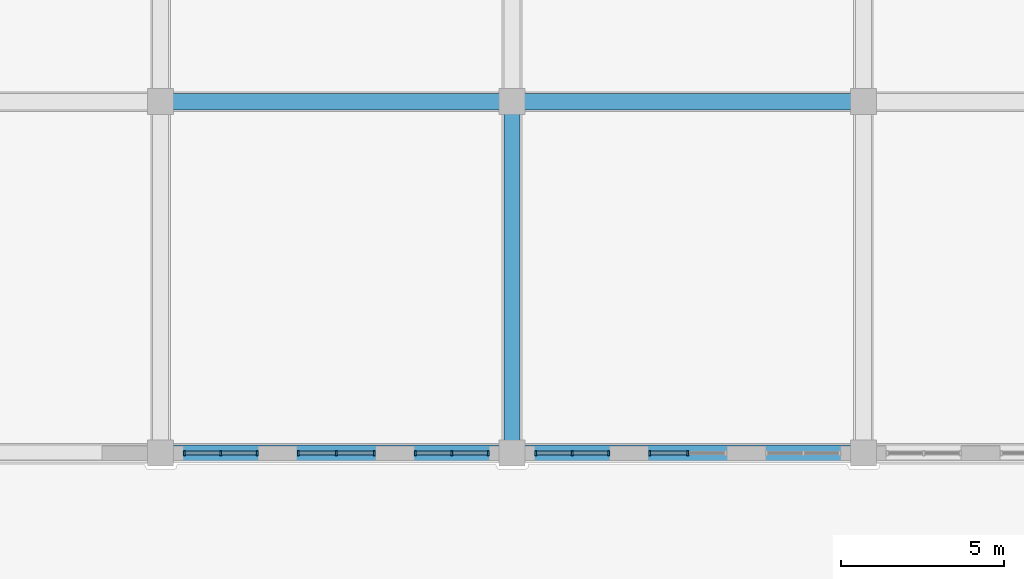
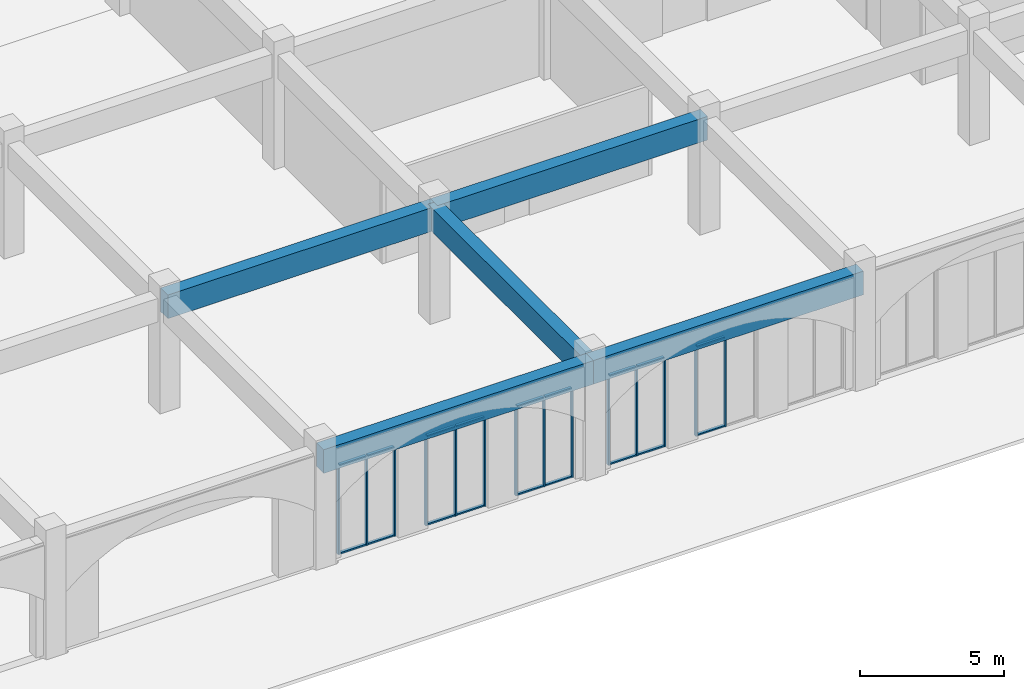
# One storey, part 17 of 101: 32 members, 5 beams, 5 elements without a shape of their own.
"""IFC4 building model written with IfcOpenShell, lengths in metres."""

from ifc_helpers import new_model, si_unit, direction, frame, origin, origin_2d, place, context, subcontext, project, spatial, rectangle, extrude, material, layer, layer_set, material_profile, profile_set, type_object, element, aggregate, save


model = new_model("IFC4")

# Units and contexts
model_context = context("Model", 3, precision=1e-05, world=origin(), true_north=direction((0.0, 1.0)))
body_context = subcontext(model_context, "Body", "Model", "MODEL_VIEW")
ifc_project = project(units=[si_unit("LENGTHUNIT", "METRE"), si_unit("AREAUNIT", "SQUARE_METRE"), si_unit("VOLUMEUNIT", "CUBIC_METRE"), si_unit("PLANEANGLEUNIT", "RADIAN"), si_unit("MASSUNIT", "GRAM", prefix="KILO")], contexts=[model_context])

# Site, building, storey
site_placement = place(None, origin())
site = spatial("IfcSite", under=ifc_project, at=site_placement, CompositionType="ELEMENT")
building_placement = place(site_placement, origin())
building = spatial("IfcBuilding", under=site, at=building_placement, Name="Magnolia Steps Interchange", CompositionType="ELEMENT")
storey_placement = place(building_placement, frame((0.0, 0.0, -5.39990234375)))
storey = spatial("IfcBuildingStorey", under=building, at=storey_placement, Name="B1", CompositionType="ELEMENT", Elevation=-5.39990234375)

# Curtain wall, members
ifc_material_1 = material(Name="Powder-coated aluminium and glass", Category="aluminium")
ifc_layer = layer(ifc_material_1, 0.1201171875)
ifc_layer_set = layer_set([ifc_layer], Name="Shopfront curtain wall")
curtain_wall_type = type_object("IfcCurtainWallType", Name="Shopfront curtain wall", PredefinedType="NOTDEFINED", material=ifc_layer_set)
curtain_wall_1_placement = place(storey_placement, origin())
curtain_wall_1 = element("IfcCurtainWall", 1, at=curtain_wall_1_placement, inside=storey, type_object=curtain_wall_type, Name="Street arcade shopfront 50", PredefinedType="NOTDEFINED")
ifc_material_2 = material(Name="White powder-coated aluminium", Category="aluminium")
ifc_material_profile_1 = material_profile(ifc_material_2, rectangle(XDim=0.06005859375, YDim=0.14990234375, at=origin_2d()), Name="Aluminium mullion 60 x 150")
ifc_profile_set_1 = profile_set([ifc_material_profile_1], Name="White powder-coated aluminium")
member_type_1 = type_object("IfcMemberType", Name="Aluminium mullion 60 x 150", PredefinedType="MULLION", material=ifc_profile_set_1)
member_1_placement = place(storey_placement, frame((151.1298828125, 10.0, 0.0), z_axis=(0.0, 0.0, 1.0), x_axis=(1.0, 0.0, 0.0)))
member_1 = element("IfcMember", 2, at=member_1_placement, type_object=member_type_1, Name="CW3 mullion 1", PredefinedType="MULLION", context=body_context, shape_type="SweptSolid", body=[
    extrude(rectangle(XDim=0.06005859375, YDim=0.14990234375, at=origin_2d()), origin(), (0.0, 0.0, 1.0), 3.7998046875),
])
member_2_placement = place(storey_placement, frame((152.25, 10.0, 0.0), z_axis=(0.0, 0.0, 1.0), x_axis=(1.0, 0.0, 0.0)))
member_2 = element("IfcMember", 3, at=member_2_placement, type_object=member_type_1, Name="CW3 mullion 2", PredefinedType="MULLION", context=body_context, shape_type="SweptSolid", body=[
    extrude(rectangle(XDim=0.06005859375, YDim=0.14990234375, at=origin_2d()), origin(), (0.0, 0.0, 1.0), 3.7998046875),
])
member_3_placement = place(storey_placement, frame((153.3701171875, 10.0, 0.0), z_axis=(0.0, 0.0, 1.0), x_axis=(1.0, 0.0, 0.0)))
member_3 = element("IfcMember", 4, at=member_3_placement, type_object=member_type_1, Name="CW3 mullion 3", PredefinedType="MULLION", context=body_context, shape_type="SweptSolid", body=[
    extrude(rectangle(XDim=0.06005859375, YDim=0.14990234375, at=origin_2d()), origin(), (0.0, 0.0, 1.0), 3.7998046875),
])

curtain_wall_2_placement = place(storey_placement, origin())
curtain_wall_2 = element("IfcCurtainWall", 5, at=curtain_wall_2_placement, inside=storey, type_object=curtain_wall_type, Name="Street arcade shopfront 52", PredefinedType="NOTDEFINED")
member_4_placement = place(storey_placement, frame((154.6298828125, 10.0, 0.0), z_axis=(0.0, 0.0, 1.0), x_axis=(1.0, 0.0, 0.0)))
member_4 = element("IfcMember", 6, at=member_4_placement, type_object=member_type_1, Name="CW3 mullion 1", PredefinedType="MULLION", context=body_context, shape_type="SweptSolid", body=[
    extrude(rectangle(XDim=0.06005859375, YDim=0.14990234375, at=origin_2d()), origin(), (0.0, 0.0, 1.0), 3.7998046875),
])
member_5_placement = place(storey_placement, frame((155.800048828125, 10.0, 0.0), z_axis=(0.0, 0.0, 1.0), x_axis=(1.0, 0.0, 0.0)))
member_5 = element("IfcMember", 7, at=member_5_placement, type_object=member_type_1, Name="CW3 mullion 2", PredefinedType="MULLION", context=body_context, shape_type="SweptSolid", body=[
    extrude(rectangle(XDim=0.06005859375, YDim=0.14990234375, at=origin_2d()), origin(), (0.0, 0.0, 1.0), 3.7998046875),
])
member_6_placement = place(storey_placement, frame((156.969970703125, 10.0, 0.0), z_axis=(0.0, 0.0, 1.0), x_axis=(1.0, 0.0, 0.0)))
member_6 = element("IfcMember", 8, at=member_6_placement, type_object=member_type_1, Name="CW3 mullion 3", PredefinedType="MULLION", context=body_context, shape_type="SweptSolid", body=[
    extrude(rectangle(XDim=0.06005859375, YDim=0.14990234375, at=origin_2d()), origin(), (0.0, 0.0, 1.0), 3.7998046875),
])

curtain_wall_3_placement = place(storey_placement, origin())
curtain_wall_3 = element("IfcCurtainWall", 9, at=curtain_wall_3_placement, inside=storey, type_object=curtain_wall_type, Name="Street arcade shopfront 54", PredefinedType="NOTDEFINED")
member_7_placement = place(storey_placement, frame((158.22998046875, 10.0, 0.0), z_axis=(0.0, 0.0, 1.0), x_axis=(1.0, 0.0, 0.0)))
member_7 = element("IfcMember", 10, at=member_7_placement, type_object=member_type_1, Name="CW3 mullion 1", PredefinedType="MULLION", context=body_context, shape_type="SweptSolid", body=[
    extrude(rectangle(XDim=0.06005859375, YDim=0.14990234375, at=origin_2d()), origin(), (0.0, 0.0, 1.0), 3.7998046875),
])
member_8_placement = place(storey_placement, frame((159.35009765625, 10.0, 0.0), z_axis=(0.0, 0.0, 1.0), x_axis=(1.0, 0.0, 0.0)))
member_8 = element("IfcMember", 11, at=member_8_placement, type_object=member_type_1, Name="CW3 mullion 2", PredefinedType="MULLION", context=body_context, shape_type="SweptSolid", body=[
    extrude(rectangle(XDim=0.06005859375, YDim=0.14990234375, at=origin_2d()), origin(), (0.0, 0.0, 1.0), 3.7998046875),
])
member_9_placement = place(storey_placement, frame((160.469970703125, 10.0, 0.0), z_axis=(0.0, 0.0, 1.0), x_axis=(1.0, 0.0, 0.0)))
member_9 = element("IfcMember", 12, at=member_9_placement, type_object=member_type_1, Name="CW3 mullion 3", PredefinedType="MULLION", context=body_context, shape_type="SweptSolid", body=[
    extrude(rectangle(XDim=0.06005859375, YDim=0.14990234375, at=origin_2d()), origin(), (0.0, 0.0, 1.0), 3.7998046875),
])

curtain_wall_4_placement = place(storey_placement, origin())
curtain_wall_4 = element("IfcCurtainWall", 13, at=curtain_wall_4_placement, inside=storey, type_object=curtain_wall_type, Name="Street arcade shopfront 56", PredefinedType="NOTDEFINED")
member_10_placement = place(storey_placement, frame((161.929931640625, 10.0, 0.0), z_axis=(0.0, 0.0, 1.0), x_axis=(1.0, 0.0, 0.0)))
member_10 = element("IfcMember", 14, at=member_10_placement, type_object=member_type_1, Name="CW3 mullion 1", PredefinedType="MULLION", context=body_context, shape_type="SweptSolid", body=[
    extrude(rectangle(XDim=0.06005859375, YDim=0.14990234375, at=origin_2d()), origin(), (0.0, 0.0, 1.0), 3.7998046875),
])
member_11_placement = place(storey_placement, frame((163.050048828125, 10.0, 0.0), z_axis=(0.0, 0.0, 1.0), x_axis=(1.0, 0.0, 0.0)))
member_11 = element("IfcMember", 15, at=member_11_placement, type_object=member_type_1, Name="CW3 mullion 2", PredefinedType="MULLION", context=body_context, shape_type="SweptSolid", body=[
    extrude(rectangle(XDim=0.06005859375, YDim=0.14990234375, at=origin_2d()), origin(), (0.0, 0.0, 1.0), 3.7998046875),
])
member_12_placement = place(storey_placement, frame((164.169921875, 10.0, 0.0), z_axis=(0.0, 0.0, 1.0), x_axis=(1.0, 0.0, 0.0)))
member_12 = element("IfcMember", 16, at=member_12_placement, type_object=member_type_1, Name="CW3 mullion 3", PredefinedType="MULLION", context=body_context, shape_type="SweptSolid", body=[
    extrude(rectangle(XDim=0.06005859375, YDim=0.14990234375, at=origin_2d()), origin(), (0.0, 0.0, 1.0), 3.7998046875),
])

curtain_wall_5_placement = place(storey_placement, origin())
curtain_wall_5 = element("IfcCurtainWall", 17, at=curtain_wall_5_placement, inside=storey, type_object=curtain_wall_type, Name="Street arcade shopfront 58", PredefinedType="NOTDEFINED")
member_13_placement = place(storey_placement, frame((165.429931640625, 10.0, 0.0), z_axis=(0.0, 0.0, 1.0), x_axis=(1.0, 0.0, 0.0)))
member_13 = element("IfcMember", 18, at=member_13_placement, type_object=member_type_1, Name="CW3 mullion 1", PredefinedType="MULLION", context=body_context, shape_type="SweptSolid", body=[
    extrude(rectangle(XDim=0.06005859375, YDim=0.14990234375, at=origin_2d()), origin(), (0.0, 0.0, 1.0), 3.7998046875),
])
member_14_placement = place(storey_placement, frame((166.60009765625, 10.0, 0.0), z_axis=(0.0, 0.0, 1.0), x_axis=(1.0, 0.0, 0.0)))
member_14 = element("IfcMember", 19, at=member_14_placement, type_object=member_type_1, Name="CW3 mullion 2", PredefinedType="MULLION", context=body_context, shape_type="SweptSolid", body=[
    extrude(rectangle(XDim=0.06005859375, YDim=0.14990234375, at=origin_2d()), origin(), (0.0, 0.0, 1.0), 3.7998046875),
])

# Member
ifc_material_3 = material(Name="White powder-coated aluminium", Category="aluminium")
ifc_material_profile_2 = material_profile(ifc_material_3, rectangle(XDim=0.06005859375, YDim=0.1201171875, at=origin_2d()), Name="Aluminium transom 60 x 120")
ifc_profile_set_2 = profile_set([ifc_material_profile_2], Name="White powder-coated aluminium")
member_type_2 = type_object("IfcMemberType", Name="Aluminium transom 60 x 120", PredefinedType="USERDEFINED", material=ifc_profile_set_2)
member_15_placement = place(storey_placement, frame((151.159912109375, 10.0, 0.02978515625), z_axis=(1.0, 0.0, 0.0), x_axis=(0.0, 0.0, 1.0)))
member_15 = element("IfcMember", 20, at=member_15_placement, type_object=member_type_2, Name="CW3 transom 1.1", ObjectType="TRANSOM", PredefinedType="USERDEFINED", context=body_context, shape_type="SweptSolid", body=[
    extrude(rectangle(XDim=0.06005859375, YDim=0.1201171875, at=origin_2d()), origin(), (0.0, 0.0, 1.0), 1.06005859375),
])

member_16_placement = place(storey_placement, frame((151.159912109375, 10.0, 3.77001953125), z_axis=(1.0, 0.0, 0.0), x_axis=(0.0, 0.0, 1.0)))
member_16 = element("IfcMember", 21, at=member_16_placement, type_object=member_type_2, Name="CW3 transom 1.2", ObjectType="TRANSOM", PredefinedType="USERDEFINED", context=body_context, shape_type="SweptSolid", body=[
    extrude(rectangle(XDim=0.06005859375, YDim=0.1201171875, at=origin_2d()), origin(), (0.0, 0.0, 1.0), 1.06005859375),
])

member_17_placement = place(storey_placement, frame((152.280029296875, 10.0, 0.02978515625), z_axis=(1.0, 0.0, 0.0), x_axis=(0.0, 0.0, 1.0)))
member_17 = element("IfcMember", 22, at=member_17_placement, type_object=member_type_2, Name="CW3 transom 2.1", ObjectType="TRANSOM", PredefinedType="USERDEFINED", context=body_context, shape_type="SweptSolid", body=[
    extrude(rectangle(XDim=0.06005859375, YDim=0.1201171875, at=origin_2d()), origin(), (0.0, 0.0, 1.0), 1.06005859375),
])

member_18_placement = place(storey_placement, frame((152.280029296875, 10.0, 3.77001953125), z_axis=(1.0, 0.0, 0.0), x_axis=(0.0, 0.0, 1.0)))
member_18 = element("IfcMember", 23, at=member_18_placement, type_object=member_type_2, Name="CW3 transom 2.2", ObjectType="TRANSOM", PredefinedType="USERDEFINED", context=body_context, shape_type="SweptSolid", body=[
    extrude(rectangle(XDim=0.06005859375, YDim=0.1201171875, at=origin_2d()), origin(), (0.0, 0.0, 1.0), 1.06005859375),
])

aggregate(curtain_wall_1, [member_1, member_2, member_3, member_15, member_16, member_17, member_18])

member_19_placement = place(storey_placement, frame((154.659912109375, 10.0, 0.02978515625), z_axis=(1.0, 0.0, 0.0), x_axis=(0.0, 0.0, 1.0)))
member_19 = element("IfcMember", 24, at=member_19_placement, type_object=member_type_2, Name="CW3 transom 1.1", ObjectType="TRANSOM", PredefinedType="USERDEFINED", context=body_context, shape_type="SweptSolid", body=[
    extrude(rectangle(XDim=0.06005859375, YDim=0.1201171875, at=origin_2d()), origin(), (0.0, 0.0, 1.0), 1.110107421875),
])

member_20_placement = place(storey_placement, frame((154.659912109375, 10.0, 3.77001953125), z_axis=(1.0, 0.0, 0.0), x_axis=(0.0, 0.0, 1.0)))
member_20 = element("IfcMember", 25, at=member_20_placement, type_object=member_type_2, Name="CW3 transom 1.2", ObjectType="TRANSOM", PredefinedType="USERDEFINED", context=body_context, shape_type="SweptSolid", body=[
    extrude(rectangle(XDim=0.06005859375, YDim=0.1201171875, at=origin_2d()), origin(), (0.0, 0.0, 1.0), 1.110107421875),
])

member_21_placement = place(storey_placement, frame((155.830078125, 10.0, 0.02978515625), z_axis=(1.0, 0.0, 0.0), x_axis=(0.0, 0.0, 1.0)))
member_21 = element("IfcMember", 26, at=member_21_placement, type_object=member_type_2, Name="CW3 transom 2.1", ObjectType="TRANSOM", PredefinedType="USERDEFINED", context=body_context, shape_type="SweptSolid", body=[
    extrude(rectangle(XDim=0.06005859375, YDim=0.1201171875, at=origin_2d()), origin(), (0.0, 0.0, 1.0), 1.10986328125),
])

member_22_placement = place(storey_placement, frame((155.830078125, 10.0, 3.77001953125), z_axis=(1.0, 0.0, 0.0), x_axis=(0.0, 0.0, 1.0)))
member_22 = element("IfcMember", 27, at=member_22_placement, type_object=member_type_2, Name="CW3 transom 2.2", ObjectType="TRANSOM", PredefinedType="USERDEFINED", context=body_context, shape_type="SweptSolid", body=[
    extrude(rectangle(XDim=0.06005859375, YDim=0.1201171875, at=origin_2d()), origin(), (0.0, 0.0, 1.0), 1.10986328125),
])

aggregate(curtain_wall_2, [member_4, member_5, member_6, member_19, member_20, member_21, member_22])

member_23_placement = place(storey_placement, frame((158.260009765625, 10.0, 0.02978515625), z_axis=(1.0, 0.0, 0.0), x_axis=(0.0, 0.0, 1.0)))
member_23 = element("IfcMember", 28, at=member_23_placement, type_object=member_type_2, Name="CW3 transom 1.1", ObjectType="TRANSOM", PredefinedType="USERDEFINED", context=body_context, shape_type="SweptSolid", body=[
    extrude(rectangle(XDim=0.06005859375, YDim=0.1201171875, at=origin_2d()), origin(), (0.0, 0.0, 1.0), 1.06005859375),
])

member_24_placement = place(storey_placement, frame((158.260009765625, 10.0, 3.77001953125), z_axis=(1.0, 0.0, 0.0), x_axis=(0.0, 0.0, 1.0)))
member_24 = element("IfcMember", 29, at=member_24_placement, type_object=member_type_2, Name="CW3 transom 1.2", ObjectType="TRANSOM", PredefinedType="USERDEFINED", context=body_context, shape_type="SweptSolid", body=[
    extrude(rectangle(XDim=0.06005859375, YDim=0.1201171875, at=origin_2d()), origin(), (0.0, 0.0, 1.0), 1.06005859375),
])

member_25_placement = place(storey_placement, frame((159.3798828125, 10.0, 0.02978515625), z_axis=(1.0, 0.0, 0.0), x_axis=(0.0, 0.0, 1.0)))
member_25 = element("IfcMember", 30, at=member_25_placement, type_object=member_type_2, Name="CW3 transom 2.1", ObjectType="TRANSOM", PredefinedType="USERDEFINED", context=body_context, shape_type="SweptSolid", body=[
    extrude(rectangle(XDim=0.06005859375, YDim=0.1201171875, at=origin_2d()), origin(), (0.0, 0.0, 1.0), 1.06005859375),
])

member_26_placement = place(storey_placement, frame((159.3798828125, 10.0, 3.77001953125), z_axis=(1.0, 0.0, 0.0), x_axis=(0.0, 0.0, 1.0)))
member_26 = element("IfcMember", 31, at=member_26_placement, type_object=member_type_2, Name="CW3 transom 2.2", ObjectType="TRANSOM", PredefinedType="USERDEFINED", context=body_context, shape_type="SweptSolid", body=[
    extrude(rectangle(XDim=0.06005859375, YDim=0.1201171875, at=origin_2d()), origin(), (0.0, 0.0, 1.0), 1.06005859375),
])

aggregate(curtain_wall_3, [member_7, member_8, member_9, member_23, member_24, member_25, member_26])

member_27_placement = place(storey_placement, frame((161.9599609375, 10.0, 0.02978515625), z_axis=(1.0, 0.0, 0.0), x_axis=(0.0, 0.0, 1.0)))
member_27 = element("IfcMember", 32, at=member_27_placement, type_object=member_type_2, Name="CW3 transom 1.1", ObjectType="TRANSOM", PredefinedType="USERDEFINED", context=body_context, shape_type="SweptSolid", body=[
    extrude(rectangle(XDim=0.06005859375, YDim=0.1201171875, at=origin_2d()), origin(), (0.0, 0.0, 1.0), 1.06005859375),
])

member_28_placement = place(storey_placement, frame((161.9599609375, 10.0, 3.77001953125), z_axis=(1.0, 0.0, 0.0), x_axis=(0.0, 0.0, 1.0)))
member_28 = element("IfcMember", 33, at=member_28_placement, type_object=member_type_2, Name="CW3 transom 1.2", ObjectType="TRANSOM", PredefinedType="USERDEFINED", context=body_context, shape_type="SweptSolid", body=[
    extrude(rectangle(XDim=0.06005859375, YDim=0.1201171875, at=origin_2d()), origin(), (0.0, 0.0, 1.0), 1.06005859375),
])

member_29_placement = place(storey_placement, frame((163.080078125, 10.0, 0.02978515625), z_axis=(1.0, 0.0, 0.0), x_axis=(0.0, 0.0, 1.0)))
member_29 = element("IfcMember", 34, at=member_29_placement, type_object=member_type_2, Name="CW3 transom 2.1", ObjectType="TRANSOM", PredefinedType="USERDEFINED", context=body_context, shape_type="SweptSolid", body=[
    extrude(rectangle(XDim=0.06005859375, YDim=0.1201171875, at=origin_2d()), origin(), (0.0, 0.0, 1.0), 1.059814453125),
])

member_30_placement = place(storey_placement, frame((163.080078125, 10.0, 3.77001953125), z_axis=(1.0, 0.0, 0.0), x_axis=(0.0, 0.0, 1.0)))
member_30 = element("IfcMember", 35, at=member_30_placement, type_object=member_type_2, Name="CW3 transom 2.2", ObjectType="TRANSOM", PredefinedType="USERDEFINED", context=body_context, shape_type="SweptSolid", body=[
    extrude(rectangle(XDim=0.06005859375, YDim=0.1201171875, at=origin_2d()), origin(), (0.0, 0.0, 1.0), 1.059814453125),
])

aggregate(curtain_wall_4, [member_10, member_11, member_12, member_27, member_28, member_29, member_30])

member_31_placement = place(storey_placement, frame((165.4599609375, 10.0, 0.02978515625), z_axis=(1.0, 0.0, 0.0), x_axis=(0.0, 0.0, 1.0)))
member_31 = element("IfcMember", 36, at=member_31_placement, type_object=member_type_2, Name="CW3 transom 1.1", ObjectType="TRANSOM", PredefinedType="USERDEFINED", context=body_context, shape_type="SweptSolid", body=[
    extrude(rectangle(XDim=0.06005859375, YDim=0.1201171875, at=origin_2d()), origin(), (0.0, 0.0, 1.0), 1.110107421875),
])

member_32_placement = place(storey_placement, frame((165.4599609375, 10.0, 3.77001953125), z_axis=(1.0, 0.0, 0.0), x_axis=(0.0, 0.0, 1.0)))
member_32 = element("IfcMember", 37, at=member_32_placement, type_object=member_type_2, Name="CW3 transom 1.2", ObjectType="TRANSOM", PredefinedType="USERDEFINED", context=body_context, shape_type="SweptSolid", body=[
    extrude(rectangle(XDim=0.06005859375, YDim=0.1201171875, at=origin_2d()), origin(), (0.0, 0.0, 1.0), 1.110107421875),
])

aggregate(curtain_wall_5, [member_13, member_14, member_31, member_32])

# Beams
ifc_material_4 = material(Name="Concrete C40", Category="concrete")
ifc_material_profile_3 = material_profile(ifc_material_4, rectangle(XDim=0.5, YDim=1.0, at=origin_2d()), Name="RC500x1000")
ifc_profile_set_3 = profile_set([ifc_material_profile_3], Name="Concrete C40")
beam_type = type_object("IfcBeamType", Name="RC beam 500x1000", PredefinedType="BEAM", material=ifc_profile_set_3)
for number, where, z_axis, x_axis, name in (
    (38, (150.39990234375, 10.0, 4.2998046875), (1.0, 0.0, 0.0), (0.0, 1.0, 0.0), "Beam L00 A 14-15"),
    (39, (161.199951171875, 10.0, 4.2998046875), (1.0, 0.0, 0.0), (0.0, 1.0, 0.0), "Beam L00 A 15-16"),
    (40, (150.39990234375, 20.800048828125, 4.2998046875), (1.0, 0.0, 0.0), (0.0, 1.0, 0.0), "Beam L00 B 14-15"),
    (41, (161.199951171875, 20.800048828125, 4.2998046875), (1.0, 0.0, 0.0), (0.0, 1.0, 0.0), "Beam L00 B 15-16"),
    (42, (161.199951171875, 10.0, 4.2998046875), (0.0, 1.0, 0.0), (-1.0, 0.0, 0.0), "Beam L00 15 A-B"),
):
    element("IfcBeam", number, at=place(storey_placement, frame(where, z_axis=z_axis, x_axis=x_axis)), inside=storey, type_object=beam_type, Name=name, PredefinedType="BEAM", context=body_context, shape_type="SweptSolid", body=[
        extrude(rectangle(XDim=0.5, YDim=1.0, at=origin_2d()), origin(), (0.0, 0.0, 1.0), 10.800048828125),
    ])

save(model, "model.ifc")
